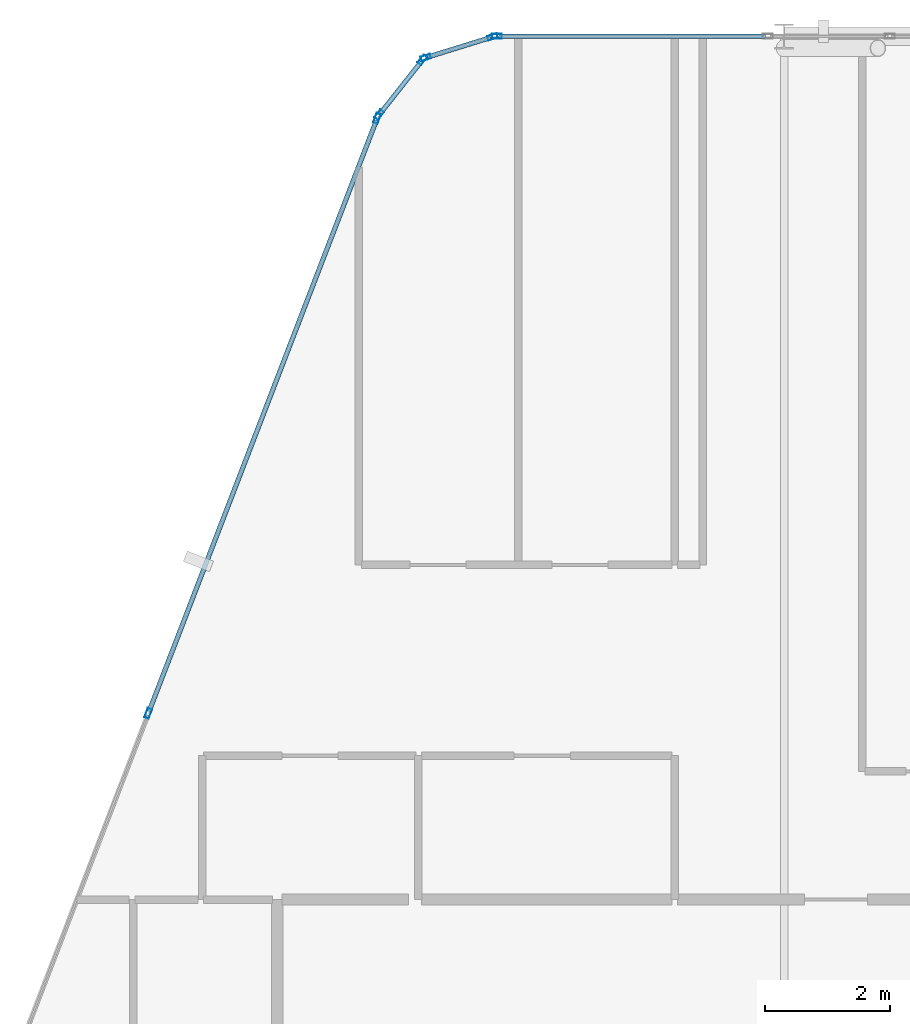
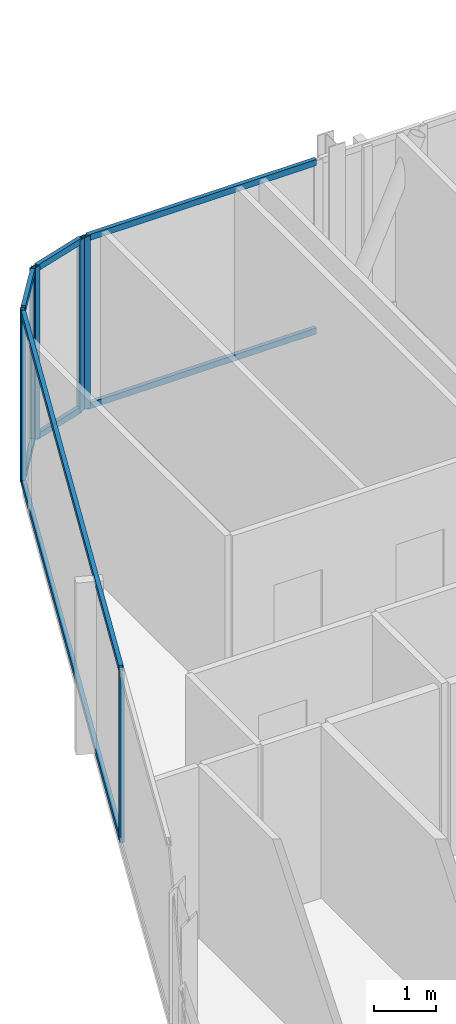
# One storey, part 15 of 28: 15 members, 4 elements without a shape of their own.
"""IFC4 building model written with IfcOpenShell, lengths in metres."""

from ifc_helpers import new_model, si_unit, direction, frame, origin, origin_2d, place, context, subcontext, project, spatial, hollow_rectangle, extrude, material, layer, layer_set, material_profile, profile_set, type_object, element, aggregate, save


model = new_model("IFC4")

# Units and contexts
model_context = context("Model", 3, precision=1e-05, world=origin(), true_north=direction((0.0, 1.0)))
body_context = subcontext(model_context, "Body", "Model", "MODEL_VIEW")
ifc_project = project(units=[si_unit("LENGTHUNIT", "METRE"), si_unit("AREAUNIT", "SQUARE_METRE"), si_unit("VOLUMEUNIT", "CUBIC_METRE"), si_unit("PLANEANGLEUNIT", "RADIAN"), si_unit("MASSUNIT", "GRAM", prefix="KILO")], contexts=[model_context])

# Site, building, storey
site_placement = place(None, origin())
site = spatial("IfcSite", under=ifc_project, at=site_placement, CompositionType="ELEMENT")
building_placement = place(site_placement, origin())
building = spatial("IfcBuilding", under=site, at=building_placement, Name="Keshet Zoharim Tower", CompositionType="ELEMENT")
storey_placement = place(building_placement, frame((0.0, 0.0, 251.0)))
storey = spatial("IfcBuildingStorey", under=building, at=storey_placement, Name="L62", CompositionType="ELEMENT", Elevation=251.0)

# Curtain wall, members
ifc_material = material(Name="Aluminium 6063-T6", Category="aluminium")
ifc_layer = layer(ifc_material, 0.260009765625)
ifc_layer_set = layer_set([ifc_layer], Name="Aluminium 6063-T6")
curtain_wall_type = type_object("IfcCurtainWallType", Name="CW-SYS-06", PredefinedType="NOTDEFINED", material=ifc_layer_set)
curtain_wall_1_placement = place(storey_placement, origin())
curtain_wall_1 = element("IfcCurtainWall", 1, at=curtain_wall_1_placement, inside=storey, type_object=curtain_wall_type, Name="L62 Unitised Curtain Wall 03", PredefinedType="NOTDEFINED")
ifc_material_profile_1 = material_profile(ifc_material, hollow_rectangle(XDim=0.074951171875, YDim=0.159912109375, WallThickness=0.00390625, at=origin_2d()), Name="MUL-75x160")
ifc_profile_set_1 = profile_set([ifc_material_profile_1], Name="Aluminium 6063-T6")
member_type_1 = type_object("IfcMemberType", Name="CWM-M15", PredefinedType="MULLION", material=ifc_profile_set_1)
member_1_placement = place(storey_placement, frame((10.8369140625, 43.076416015625, 0.0), z_axis=(0.0, 0.0, 1.0), x_axis=(-0.933341404361, 0.358990003907, 0.0)))
member_1 = element("IfcMember", 2, at=member_1_placement, type_object=member_type_1, Name="CW-06 mullion 3", PredefinedType="MULLION", context=body_context, shape_type="SweptSolid", body=[
    extrude(hollow_rectangle(XDim=0.074951171875, YDim=0.159912109375, WallThickness=0.00390625, at=origin_2d()), origin(), (0.0, 0.0, 1.0), 3.389892578125),
])
member_2_placement = place(storey_placement, frame((14.494384765625, 52.58544921875, 0.0), z_axis=(0.0, 0.0, 1.0), x_axis=(-0.933341404361, 0.358990003907, 0.0)))
member_2 = element("IfcMember", 3, at=member_2_placement, type_object=member_type_1, Name="CW-06 mullion 4", PredefinedType="MULLION", context=body_context, shape_type="SweptSolid", body=[
    extrude(hollow_rectangle(XDim=0.074951171875, YDim=0.159912109375, WallThickness=0.00390625, at=origin_2d()), origin(), (0.0, 0.0, 1.0), 3.389892578125),
])

curtain_wall_2_placement = place(storey_placement, origin())
curtain_wall_2 = element("IfcCurtainWall", 4, at=curtain_wall_2_placement, inside=storey, type_object=curtain_wall_type, Name="L62 Unitised Curtain Wall 04", PredefinedType="NOTDEFINED")
member_3_placement = place(storey_placement, frame((14.528564453125, 52.6455078125, 0.0), z_axis=(0.0, 0.0, 1.0), x_axis=(-0.785292825205, 0.619124525989, 0.0)))
member_3 = element("IfcMember", 5, at=member_3_placement, type_object=member_type_1, Name="CW-06 mullion 1", PredefinedType="MULLION", context=body_context, shape_type="SweptSolid", body=[
    extrude(hollow_rectangle(XDim=0.074951171875, YDim=0.159912109375, WallThickness=0.00390625, at=origin_2d()), origin(), (0.0, 0.0, 1.0), 3.389892578125),
])
member_4_placement = place(storey_placement, frame((15.21923828125, 53.521484375, 0.0), z_axis=(0.0, 0.0, 1.0), x_axis=(-0.785292825205, 0.619124525989, 0.0)))
member_4 = element("IfcMember", 6, at=member_4_placement, type_object=member_type_1, Name="CW-06 mullion 2", PredefinedType="MULLION", context=body_context, shape_type="SweptSolid", body=[
    extrude(hollow_rectangle(XDim=0.074951171875, YDim=0.159912109375, WallThickness=0.00390625, at=origin_2d()), origin(), (0.0, 0.0, 1.0), 3.389892578125),
])

curtain_wall_3_placement = place(storey_placement, origin())
curtain_wall_3 = element("IfcCurtainWall", 7, at=curtain_wall_3_placement, inside=storey, type_object=curtain_wall_type, Name="L62 Unitised Curtain Wall 05", PredefinedType="NOTDEFINED")
member_5_placement = place(storey_placement, frame((15.2744140625, 53.559326171875, 0.0), z_axis=(0.0, 0.0, 1.0), x_axis=(-0.295921857984, 0.955212151288, 0.0)))
member_5 = element("IfcMember", 8, at=member_5_placement, type_object=member_type_1, Name="CW-06 mullion 1", PredefinedType="MULLION", context=body_context, shape_type="SweptSolid", body=[
    extrude(hollow_rectangle(XDim=0.074951171875, YDim=0.159912109375, WallThickness=0.00390625, at=origin_2d()), origin(), (0.0, 0.0, 1.0), 3.389892578125),
])
member_6_placement = place(storey_placement, frame((16.340576171875, 53.8896484375, 0.0), z_axis=(0.0, 0.0, 1.0), x_axis=(-0.295921857984, 0.955212151288, 0.0)))
member_6 = element("IfcMember", 9, at=member_6_placement, type_object=member_type_1, Name="CW-06 mullion 2", PredefinedType="MULLION", context=body_context, shape_type="SweptSolid", body=[
    extrude(hollow_rectangle(XDim=0.074951171875, YDim=0.159912109375, WallThickness=0.00390625, at=origin_2d()), origin(), (0.0, 0.0, 1.0), 3.389892578125),
])

# Curtain wall, member
curtain_wall_4_placement = place(storey_placement, origin())
curtain_wall_4 = element("IfcCurtainWall", 10, at=curtain_wall_4_placement, inside=storey, type_object=curtain_wall_type, Name="L62 Unitised Curtain Wall 06", PredefinedType="NOTDEFINED")
member_7_placement = place(storey_placement, frame((16.408935546875, 53.89990234375, 0.0), z_axis=(0.0, 0.0, 1.0), x_axis=(0.0, 1.0, 0.0)))
member_7 = element("IfcMember", 11, at=member_7_placement, type_object=member_type_1, Name="CW-06 mullion 1", PredefinedType="MULLION", context=body_context, shape_type="SweptSolid", body=[
    extrude(hollow_rectangle(XDim=0.074951171875, YDim=0.159912109375, WallThickness=0.00390625, at=origin_2d()), origin(), (0.0, 0.0, 1.0), 3.389892578125),
])

# Member
ifc_material_profile_2 = material_profile(ifc_material, hollow_rectangle(XDim=0.074951171875, YDim=0.1201171875, WallThickness=0.00390625, at=origin_2d()), Name="TRN-75x120")
ifc_profile_set_2 = profile_set([ifc_material_profile_2], Name="Aluminium 6063-T6")
member_type_2 = type_object("IfcMemberType", Name="CWT-T12", PredefinedType="USERDEFINED", material=ifc_profile_set_2)
member_8_placement = place(storey_placement, frame((10.849609375, 43.10888671875, 0.034912109375), z_axis=(0.358985546764, 0.933343118694, 0.0), x_axis=(-0.933343118694, 0.358985546764, 0.0)))
member_8 = element("IfcMember", 12, at=member_8_placement, type_object=member_type_2, Name="CW-06 transom 3.1", ObjectType="TRANSOM", PredefinedType="USERDEFINED", context=body_context, shape_type="SweptSolid", body=[
    extrude(hollow_rectangle(XDim=0.074951171875, YDim=0.1201171875, WallThickness=0.00390625, at=origin_2d()), origin(), (0.0, 0.0, 1.0), 10.118408203125),
])

member_9_placement = place(storey_placement, frame((10.849609375, 43.10888671875, 3.35498046875), z_axis=(0.358985546764, 0.933343118694, 0.0), x_axis=(-0.933343118694, 0.358985546764, 0.0)))
member_9 = element("IfcMember", 13, at=member_9_placement, type_object=member_type_2, Name="CW-06 transom 3.2", ObjectType="TRANSOM", PredefinedType="USERDEFINED", context=body_context, shape_type="SweptSolid", body=[
    extrude(hollow_rectangle(XDim=0.074951171875, YDim=0.1201171875, WallThickness=0.00390625, at=origin_2d()), origin(), (0.0, 0.0, 1.0), 10.118408203125),
])

aggregate(curtain_wall_1, [member_1, member_2, member_8, member_9])

member_10_placement = place(storey_placement, frame((14.55029296875, 52.6728515625, 0.034912109375), z_axis=(0.619099165969, 0.78531281837, 0.0), x_axis=(-0.78531281837, 0.619099165969, 0.0)))
member_10 = element("IfcMember", 14, at=member_10_placement, type_object=member_type_2, Name="CW-06 transom 1.1", ObjectType="TRANSOM", PredefinedType="USERDEFINED", context=body_context, shape_type="SweptSolid", body=[
    extrude(hollow_rectangle(XDim=0.074951171875, YDim=0.1201171875, WallThickness=0.00390625, at=origin_2d()), origin(), (0.0, 0.0, 1.0), 1.0458984375),
])

member_11_placement = place(storey_placement, frame((14.55029296875, 52.6728515625, 3.35498046875), z_axis=(0.619099165969, 0.78531281837, 0.0), x_axis=(-0.78531281837, 0.619099165969, 0.0)))
member_11 = element("IfcMember", 15, at=member_11_placement, type_object=member_type_2, Name="CW-06 transom 1.2", ObjectType="TRANSOM", PredefinedType="USERDEFINED", context=body_context, shape_type="SweptSolid", body=[
    extrude(hollow_rectangle(XDim=0.074951171875, YDim=0.1201171875, WallThickness=0.00390625, at=origin_2d()), origin(), (0.0, 0.0, 1.0), 1.0458984375),
])

aggregate(curtain_wall_2, [member_3, member_4, member_10, member_11])

member_12_placement = place(storey_placement, frame((15.307861328125, 53.56982421875, 0.034912109375), z_axis=(0.955212093062, 0.295922045933, 0.0), x_axis=(-0.295922045933, 0.955212093062, 0.0)))
member_12 = element("IfcMember", 16, at=member_12_placement, type_object=member_type_2, Name="CW-06 transom 1.1", ObjectType="TRANSOM", PredefinedType="USERDEFINED", context=body_context, shape_type="SweptSolid", body=[
    extrude(hollow_rectangle(XDim=0.074951171875, YDim=0.1201171875, WallThickness=0.00390625, at=origin_2d()), origin(), (0.0, 0.0, 1.0), 1.046142578125),
])

member_13_placement = place(storey_placement, frame((15.307861328125, 53.56982421875, 3.35498046875), z_axis=(0.955212093062, 0.295922045933, 0.0), x_axis=(-0.295922045933, 0.955212093062, 0.0)))
member_13 = element("IfcMember", 17, at=member_13_placement, type_object=member_type_2, Name="CW-06 transom 1.2", ObjectType="TRANSOM", PredefinedType="USERDEFINED", context=body_context, shape_type="SweptSolid", body=[
    extrude(hollow_rectangle(XDim=0.074951171875, YDim=0.1201171875, WallThickness=0.00390625, at=origin_2d()), origin(), (0.0, 0.0, 1.0), 1.046142578125),
])

aggregate(curtain_wall_3, [member_5, member_6, member_12, member_13])

member_14_placement = place(storey_placement, frame((16.444091796875, 53.89990234375, 0.034912109375), z_axis=(1.0, 0.0, 0.0), x_axis=(0.0, 1.0, 0.0)))
member_14 = element("IfcMember", 18, at=member_14_placement, type_object=member_type_2, Name="CW-06 transom 1.1", ObjectType="TRANSOM", PredefinedType="USERDEFINED", context=body_context, shape_type="SweptSolid", body=[
    extrude(hollow_rectangle(XDim=0.074951171875, YDim=0.1201171875, WallThickness=0.00390625, at=origin_2d()), origin(), (0.0, 0.0, 1.0), 4.260986328125),
])

member_15_placement = place(storey_placement, frame((16.444091796875, 53.89990234375, 3.35498046875), z_axis=(1.0, 0.0, 0.0), x_axis=(0.0, 1.0, 0.0)))
member_15 = element("IfcMember", 19, at=member_15_placement, type_object=member_type_2, Name="CW-06 transom 1.2", ObjectType="TRANSOM", PredefinedType="USERDEFINED", context=body_context, shape_type="SweptSolid", body=[
    extrude(hollow_rectangle(XDim=0.074951171875, YDim=0.1201171875, WallThickness=0.00390625, at=origin_2d()), origin(), (0.0, 0.0, 1.0), 4.260986328125),
])

aggregate(curtain_wall_4, [member_7, member_14, member_15])

save(model, "model.ifc")
